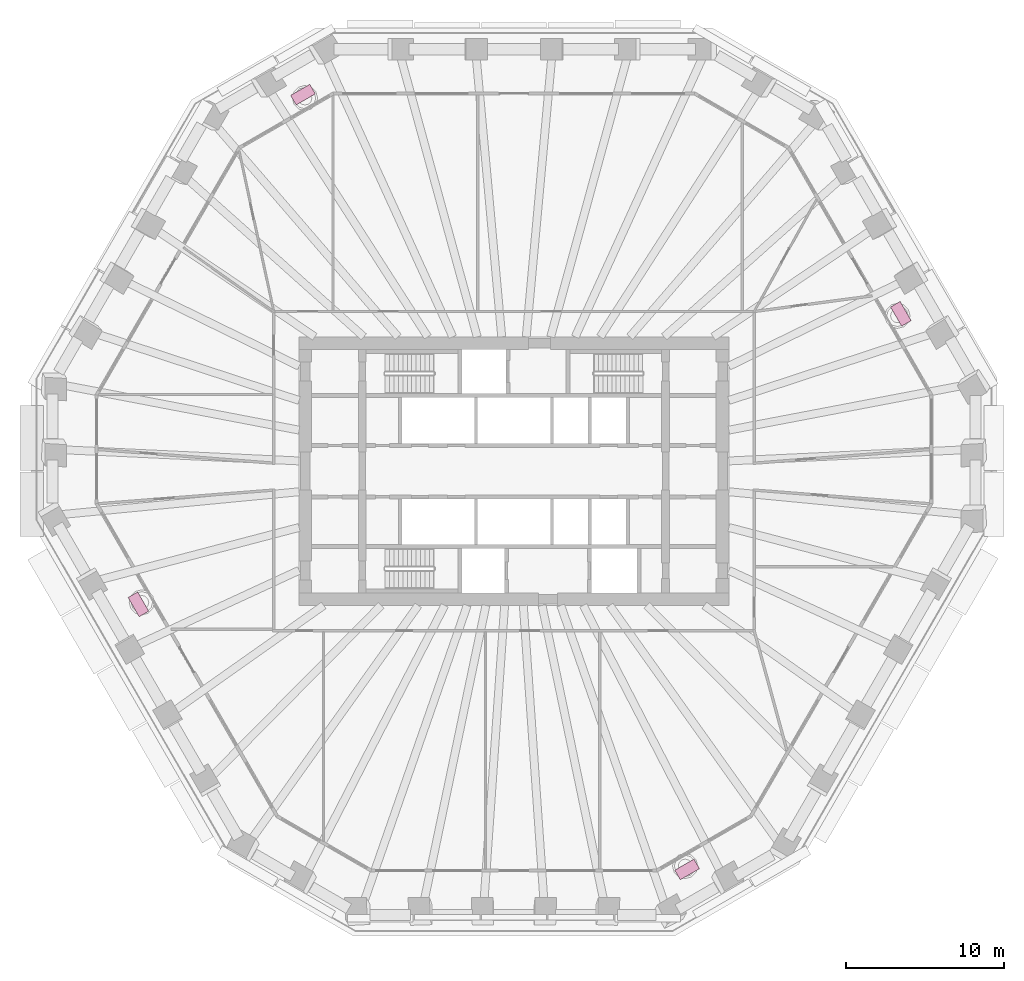
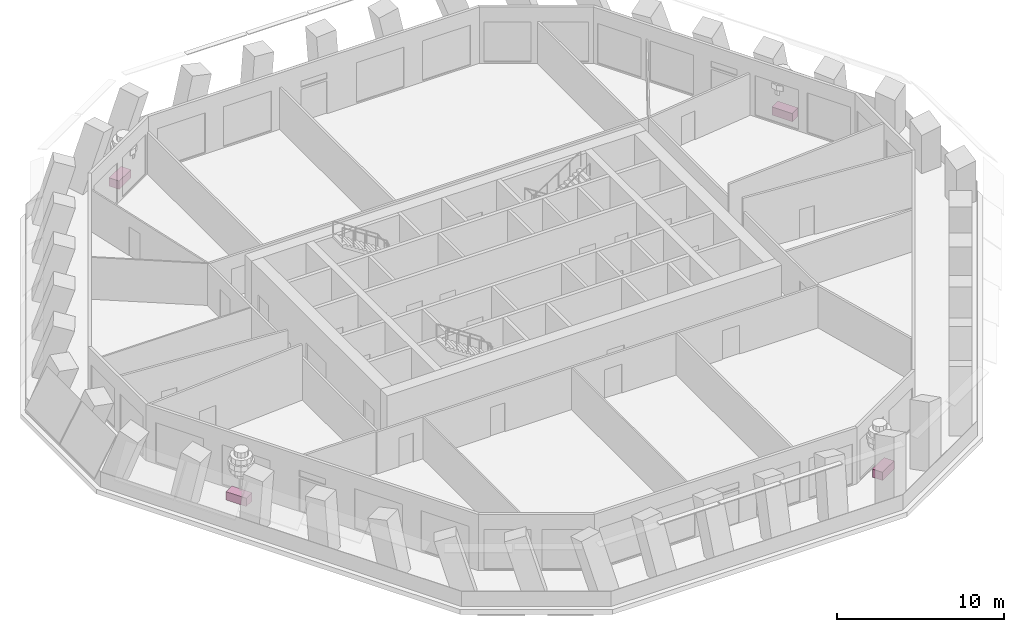
# One storey, part 11 of 12: 4 furniture elements.
"""IFC4 building model written with IfcOpenShell, lengths in metres."""

from ifc_helpers import new_model, si_unit, direction, frame, origin, origin_2d, place, context, subcontext, project, spatial, rectangle, extrude, material, type_object, element, save


model = new_model("IFC4")

# Units and contexts
model_context = context("Model", 3, precision=1e-05, world=origin(), true_north=direction((0.0, 1.0)))
body_context = subcontext(model_context, "Body", "Model", "MODEL_VIEW")
ifc_project = project(units=[si_unit("LENGTHUNIT", "METRE"), si_unit("AREAUNIT", "SQUARE_METRE"), si_unit("VOLUMEUNIT", "CUBIC_METRE"), si_unit("PLANEANGLEUNIT", "RADIAN"), si_unit("MASSUNIT", "GRAM", prefix="KILO")], contexts=[model_context])

# Site, building, storey
site_placement = place(None, origin())
site = spatial("IfcSite", under=ifc_project, at=site_placement, CompositionType="ELEMENT")
building_placement = place(site_placement, origin())
building = spatial("IfcBuilding", under=site, at=building_placement, Name="Frailejon Research Tower", CompositionType="ELEMENT")
storey_placement = place(building_placement, frame((0.0, 0.0, 135.199951171875)))
storey = spatial("IfcBuildingStorey", under=building, at=storey_placement, Name="L29", CompositionType="ELEMENT", Elevation=135.199951171875)

# Furniture
ifc_material = material(Name="Precast concrete C30/37 planter, terracotta", Category="masonry")
furniture_type = type_object("IfcFurnitureType", Name="Loggia planter 1400x700", AssemblyPlace="NOTDEFINED", PredefinedType="USERDEFINED", material=ifc_material)
for number, where, z_axis, x_axis, name in (
    (1, (24.486572265625, 9.95361328125, 0.0), (0.0, 0.0, 1.0), (-0.5, 0.866025403784, 0.0), "Planter L29"),
    (2, (-13.35302734375, 23.826904296875, 0.0), (0.0, 0.0, 1.0), (-0.866025403784, -0.5, 0.0), "Planter L29"),
    (3, (-23.76806640625, -8.4326171875, 0.0), (0.0, 0.0, 1.0), (0.5, -0.866025403784, 0.0), "Planter L29"),
    (4, (10.9580078125, -25.209716796875, 0.0), (0.0, 0.0, 1.0), (0.866025403784, 0.5, 0.0), "Planter L29"),
):
    element("IfcFurniture", number, at=place(storey_placement, frame(where, z_axis=z_axis, x_axis=x_axis)), inside=storey, type_object=furniture_type, Name=name, ObjectType="PLANTER", PredefinedType="USERDEFINED", context=body_context, shape_type="SweptSolid", body=[
        extrude(rectangle(XDim=1.39990234375, YDim=0.699951171875, at=origin_2d()), origin(), (0.0, 0.0, 1.0), 0.60009765625),
    ])

save(model, "model.ifc")
